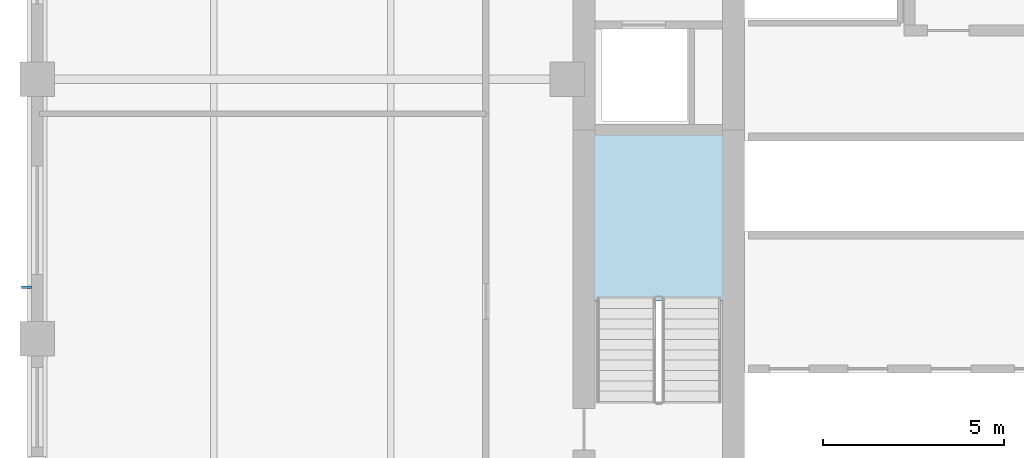
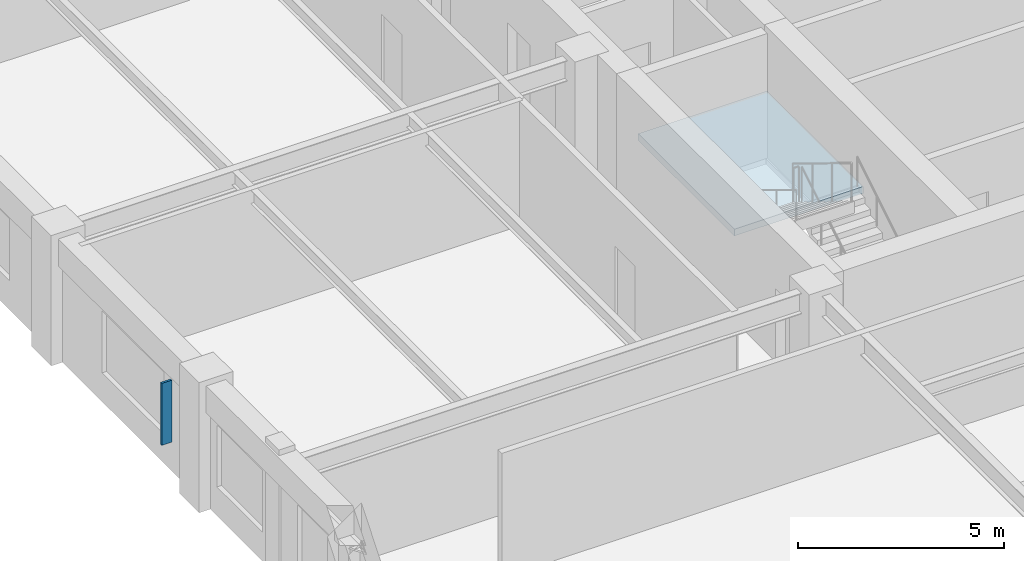
# One storey, part 2 of 9: 1 plate, 1 slab, 1 element without a shape of its own.
"""IFC4 building model written with IfcOpenShell, lengths in metres."""

from ifc_helpers import new_model, si_unit, direction, frame, origin, origin_2d, place, context, subcontext, project, spatial, polyline, rectangle, outline, extrude, material, layer, layer_set, type_object, element, aggregate, save


model = new_model("IFC4")

# Units and contexts
model_context = context("Model", 3, precision=1e-05, world=origin(), true_north=direction((0.0, 1.0)))
body_context = subcontext(model_context, "Body", "Model", "MODEL_VIEW")
ifc_project = project(units=[si_unit("LENGTHUNIT", "METRE"), si_unit("AREAUNIT", "SQUARE_METRE"), si_unit("VOLUMEUNIT", "CUBIC_METRE"), si_unit("PLANEANGLEUNIT", "RADIAN"), si_unit("MASSUNIT", "GRAM", prefix="KILO")], contexts=[model_context])

# Site, building, storey
site_placement = place(None, origin())
site = spatial("IfcSite", under=ifc_project, at=site_placement, CompositionType="ELEMENT")
building_placement = place(site_placement, origin())
building = spatial("IfcBuilding", under=site, at=building_placement, Name="Nhamokura Convention Tower", CompositionType="ELEMENT")
storey_placement = place(building_placement, frame((0.0, 0.0, 118.300048828125)))
storey = spatial("IfcBuildingStorey", under=building, at=storey_placement, Name="L28", CompositionType="ELEMENT", Elevation=118.300048828125)

# Plate
ifc_material_1 = material(Name="Anodised bronze aluminium AA6063-T6", Category="aluminium")
plate_type = type_object("IfcPlateType", Name="BronzeSolarFin_2", PredefinedType="USERDEFINED", material=ifc_material_1)
plate_placement = place(storey_placement, frame((5.699951171875, 26.254150390625, 0.849853515625), z_axis=(0.0, 0.0, 1.0), x_axis=(1.0, 0.0, 0.0)))
element("IfcPlate", 1, at=plate_placement, inside=storey, type_object=plate_type, Name="L28 Bronze Solar Shading Fin WEST 2", ObjectType="SOLAR_FIN", PredefinedType="USERDEFINED", context=body_context, shape_type="SweptSolid", body=[
    extrude(rectangle(XDim=0.280029296875, YDim=0.06005859375, at=origin_2d()), origin(), (0.0, 0.0, 1.0), 1.8349609375),
])

# Stair, slab
ifc_material_2 = material(Name="Concrete C40/50", Category="concrete")
stair_type = type_object("IfcStairType", Name="TowerCoreStair_1650", PredefinedType="HALF_TURN_STAIR", material=ifc_material_2)
stair_placement = place(storey_placement, origin())
stair = element("IfcStair", 2, at=stair_placement, inside=storey, type_object=stair_type, Name="L28 West Core Smokeproof Stair ST-01", PredefinedType="HALF_TURN_STAIR")
ifc_material_3 = material(Name="Concrete C40/50", Category="concrete")
ifc_layer = layer(ifc_material_3, 0.199951171875)
ifc_layer_set = layer_set([ifc_layer], Name="StairLandingSlab_200")
slab_type = type_object("IfcSlabType", Name="StairLandingSlab_200", PredefinedType="LANDING", material=ifc_layer_set)
slab_placement = place(storey_placement, frame((0.0, 0.0, 1.724853515625)))
slab = element("IfcSlab", 3, at=slab_placement, type_object=slab_type, Name="ST-01 landing 1", PredefinedType="LANDING", context=body_context, shape_type="SweptSolid", body=[
    extrude(outline(polyline([(24.97998046875, 25.8701171875), (24.97998046875, 30.530029296875), (21.3701171875, 30.530029296875), (21.3701171875, 25.8701171875), (24.97998046875, 25.8701171875)])), origin(), (0.0, 0.0, 1.0), 0.2001953125),
])
aggregate(stair, [slab])

save(model, "model.ifc")
